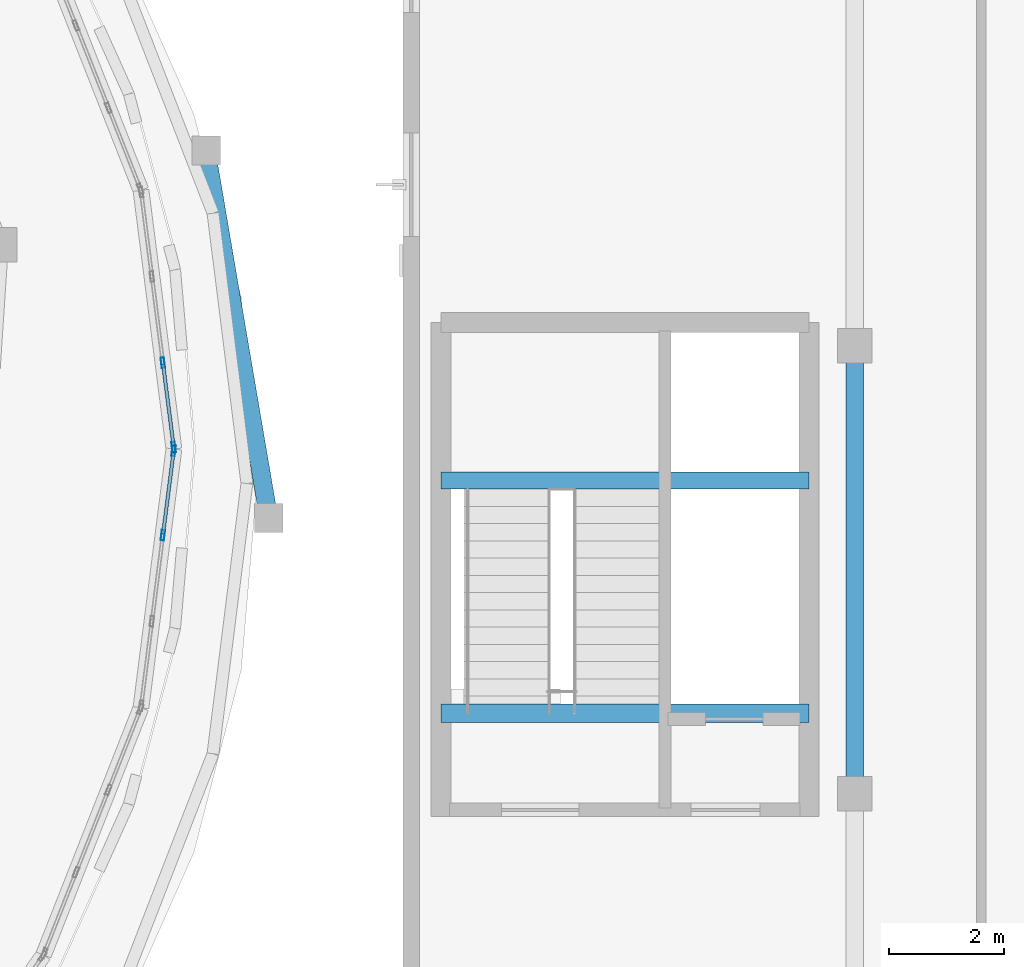
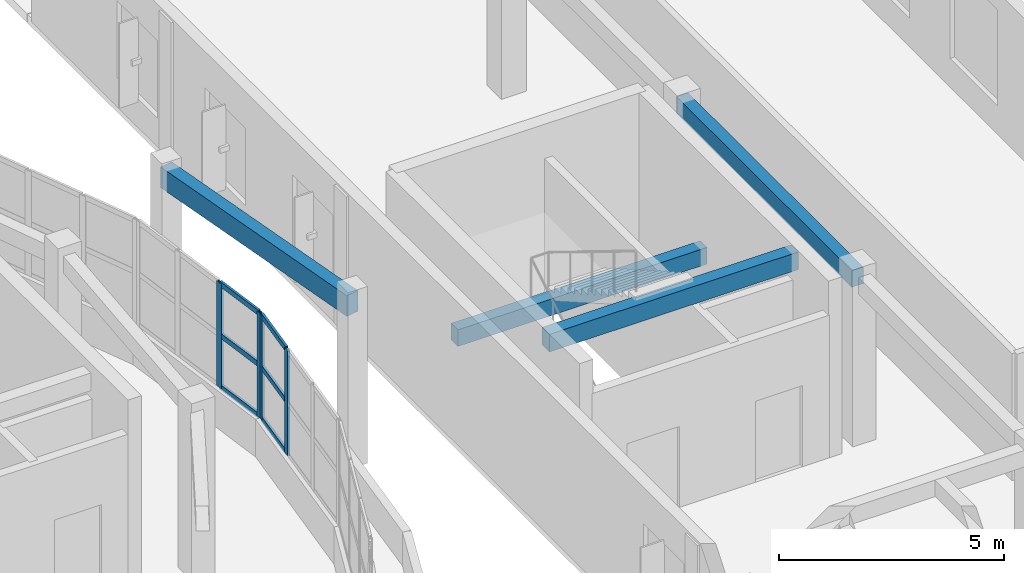
# One storey, part 35 of 69: 10 members, 4 beams, 2 elements without a shape of their own.
"""IFC4 building model written with IfcOpenShell, lengths in metres."""

import ifcopenshell
import ifcopenshell.guid

model = None  # the IFC model being written
_history = None  # IfcOwnerHistory: only IFC2X3 demands one
_inside = {}  # id of a spatial element -> (the spatial element, [elements in it])
_under = {}  # id of a project, library or spatial element -> (it, [spatial elements below it])
_declared = {}  # id of a project -> (the project, [libraries it declares])
_typed = {}  # id of a type object -> (the type object, [elements of that type])
_made_of = {}  # id of a material, layer set ... -> (it, [elements and type objects made of it])


def new_model(schema):
    """Start an empty IFC model of exactly this schema.

    Asked for "IFC4X3", IfcOpenShell would pick the latest addendum, in which some entities
    have other attributes; the version numbers below select the first issue.
    IFC2X3 requires an IfcOwnerHistory on every rooted entity: one is made here for all.
    """
    global model, _history
    if schema == "IFC4X3":
        model = ifcopenshell.file(schema_version=(4, 3, 0, 0))
    else:
        model = ifcopenshell.file(schema=schema)
    _inside.clear()
    _under.clear()
    _declared.clear()
    _typed.clear()
    _made_of.clear()
    _history = None
    if model.schema == "IFC2X3":
        org = make("IfcOrganization", Name="unknown")
        user = make(
            "IfcPersonAndOrganization",
            ThePerson=make("IfcPerson", FamilyName="unknown"),
            TheOrganization=org,
        )
        app = make(
            "IfcApplication",
            ApplicationDeveloper=org,
            Version="unknown",
            ApplicationFullName="unknown",
            ApplicationIdentifier="unknown",
        )
        _history = make(
            "IfcOwnerHistory",
            OwningUser=user,
            OwningApplication=app,
            ChangeAction="ADDED",
            CreationDate=0,
        )
    return model


def make(cls, **values):
    """One entity of the class cls with the attributes given. An attribute that is None is left unset."""
    return model.create_entity(
        cls, **{name: value for name, value in values.items() if value is not None}
    )


def rooted(cls, **values):
    """An entity with a GlobalId (a new one), such as an element, a storey or a relation."""
    return make(cls, GlobalId=ifcopenshell.guid.new(), OwnerHistory=_history, **values)


def si_unit(unit_type, name, prefix=None):
    """IfcSIUnit, for example si_unit("LENGTHUNIT", "METRE", prefix="MILLI")."""
    return make("IfcSIUnit", UnitType=unit_type, Prefix=prefix, Name=name)


def assignment(units):
    """IfcUnitAssignment: the units of a project."""
    return None if units is None else make("IfcUnitAssignment", Units=units)


def point(xyz):
    """IfcCartesianPoint."""
    return None if xyz is None else make("IfcCartesianPoint", Coordinates=xyz)


def direction(xyz):
    """IfcDirection."""
    return None if xyz is None else make("IfcDirection", DirectionRatios=xyz)


def frame(location, z_axis=None, x_axis=None):
    """IfcAxis2Placement3D, a coordinate frame: its origin and axes. An axis left out is left unset."""
    return make(
        "IfcAxis2Placement3D",
        Location=point(location),
        Axis=direction(z_axis),
        RefDirection=direction(x_axis),
    )


def frame_2d(location, x_axis=None):
    """IfcAxis2Placement2D, a coordinate frame in the plane: its origin and x axis."""
    return make(
        "IfcAxis2Placement2D", Location=point(location), RefDirection=direction(x_axis)
    )


def origin():
    """The frame at (0, 0, 0) with its axes left unset."""
    return frame((0.0, 0.0, 0.0))


def origin_2d():
    """The frame at (0, 0) in the plane with its x axis left unset."""
    return frame_2d((0.0, 0.0))


def place(relative_to, where):
    """IfcLocalPlacement: puts the frame where relative to a parent placement (None: the world)."""
    return make(
        "IfcLocalPlacement", PlacementRelTo=relative_to, RelativePlacement=where
    )


def context(
    kind, dimensions, precision=None, world=None, true_north=None, identifier=None
):
    """IfcGeometricRepresentationContext, for example the 3D "Model" context."""
    return make(
        "IfcGeometricRepresentationContext",
        ContextIdentifier=identifier,
        ContextType=kind,
        CoordinateSpaceDimension=dimensions,
        Precision=precision,
        WorldCoordinateSystem=world,
        TrueNorth=true_north,
    )


def subcontext(parent, identifier, kind, view, scale=None):
    """IfcGeometricRepresentationSubContext, for example "Body" below "Model"."""
    return make(
        "IfcGeometricRepresentationSubContext",
        ContextIdentifier=identifier,
        ContextType=kind,
        ParentContext=parent,
        TargetScale=scale,
        TargetView=view,
    )


def project(units=None, contexts=None):
    """IfcProject with its units and contexts."""
    return rooted(
        "IfcProject",
        Name="project",
        RepresentationContexts=contexts,
        UnitsInContext=assignment(units),
    )


def spatial(cls, under=None, at=None, **own):
    """A site, building, storey or space (cls), placed at a placement, below another one or the project."""
    s = rooted(cls, ObjectPlacement=at, **own)
    if under is not None:
        _under.setdefault(under.id(), (under, []))[1].append(s)
    return s


def profile(cls, at=None, kind="AREA", **sizes):
    """A parametric profile (cls). Its sizes go by their IFC names, for example OverallWidth=200.0."""
    return make(cls, ProfileType=kind, Position=at, **sizes)


def rectangle(**sizes):
    """IfcRectangleProfileDef."""
    return profile("IfcRectangleProfileDef", **sizes)


def hollow_rectangle(**sizes):
    """IfcRectangleHollowProfileDef."""
    return profile("IfcRectangleHollowProfileDef", **sizes)


def extrude(swept, where, along, depth):
    """IfcExtrudedAreaSolid: the profile swept, set in the frame where, extruded along a direction by depth."""
    return make(
        "IfcExtrudedAreaSolid",
        SweptArea=swept,
        Position=where,
        ExtrudedDirection=direction(along),
        Depth=depth,
    )


def shape(context_of_items, identifier, shape_type, items):
    """IfcShapeRepresentation: the items that make up one representation, for example the "Body"."""
    return make(
        "IfcShapeRepresentation",
        ContextOfItems=context_of_items,
        RepresentationIdentifier=identifier,
        RepresentationType=shape_type,
        Items=items,
    )


def material(Name=None, Category=None):
    """IfcMaterial."""
    return make("IfcMaterial", Name=Name, Category=Category)


def layer(
    of_material, thickness, ventilated=None, Name=None, Category=None, Priority=None
):
    """IfcMaterialLayer: one layer of a wall or slab, of a material (None: an air gap)."""
    return make(
        "IfcMaterialLayer",
        Material=of_material,
        LayerThickness=thickness,
        IsVentilated=ventilated,
        Name=Name,
        Category=Category,
        Priority=Priority,
    )


def layer_set(layers, Name=None):
    """IfcMaterialLayerSet."""
    return make("IfcMaterialLayerSet", MaterialLayers=layers, LayerSetName=Name)


def material_profile(
    of_material, cross_section, Name=None, Category=None, Priority=None
):
    """IfcMaterialProfile: a cross section and its material."""
    return make(
        "IfcMaterialProfile",
        Name=Name,
        Material=of_material,
        Profile=cross_section,
        Priority=Priority,
        Category=Category,
    )


def profile_set(profiles, Name=None, composite=None):
    """IfcMaterialProfileSet."""
    return make(
        "IfcMaterialProfileSet",
        Name=Name,
        MaterialProfiles=profiles,
        CompositeProfile=composite,
    )


def made_of(thing, what):
    """Note that an element or type object is made of a material, layer set ...; save() writes the relation."""
    if what is not None:
        _made_of.setdefault(what.id(), (what, []))[1].append(thing)
    return thing


def type_object(cls, material=None, **own):
    """A type object (cls), such as IfcWallType, which elements share."""
    return made_of(rooted(cls, **own), material)


def element(
    cls,
    number,
    at=None,
    inside=None,
    cuts=None,
    type_object=None,
    material=None,
    context=None,
    identifier="Body",
    shape_type=None,
    held_by="IfcProductDefinitionShape",
    body=None,
    shapes=None,
    **own,
):
    """One element of the class cls, such as IfcWall. Its Tag is "e" and its number.

    at: its placement. inside: the storey or other place that contains it. cuts: it is an
    opening in that element (IfcRelVoidsElement). A single representation is given by context,
    identifier, shape_type and body (its items); several are given by shapes. held_by: the class
    of the entity that holds the representations. save() writes the other relations.
    """
    e = rooted(cls, Tag="e%d" % number, ObjectPlacement=at, **own)
    if body is not None:
        shapes = [shape(context, identifier, shape_type, body)]
    if shapes is not None:
        e.Representation = make(held_by, Representations=shapes)
    if inside is not None:
        _inside.setdefault(inside.id(), (inside, []))[1].append(e)
    if cuts is not None:
        rooted(
            "IfcRelVoidsElement", RelatingBuildingElement=cuts, RelatedOpeningElement=e
        )
    if type_object is not None:
        _typed.setdefault(type_object.id(), (type_object, []))[1].append(e)
    return made_of(e, material)


def aggregate(whole, parts):
    """IfcRelAggregates: a whole, such as a stair, and the parts it consists of."""
    return rooted("IfcRelAggregates", RelatingObject=whole, RelatedObjects=parts)


def save(model, path):
    """Write the relations noted so far, then the file.

    IfcRelAggregates (storeys below a building ...), IfcRelContainedInSpatialStructure (elements
    in a storey), IfcRelDefinesByType, IfcRelAssociatesMaterial and IfcRelDeclares: one each for
    every whole, place, type object, material and project.
    """
    for whole, parts in _under.values():
        aggregate(whole, parts)
    for where, things in _inside.values():
        rooted(
            "IfcRelContainedInSpatialStructure",
            RelatedElements=things,
            RelatingStructure=where,
        )
    for kind, things in _typed.values():
        rooted("IfcRelDefinesByType", RelatedObjects=things, RelatingType=kind)
    for what, things in _made_of.values():
        rooted("IfcRelAssociatesMaterial", RelatedObjects=things, RelatingMaterial=what)
    for by, libraries in _declared.values():
        rooted("IfcRelDeclares", RelatingContext=by, RelatedDefinitions=libraries)
    model.write(path)


model = new_model("IFC4")

# Units and contexts
model_context = context("Model", 3, precision=1e-05, world=origin(), true_north=direction((0.0, 1.0)))
body_context = subcontext(model_context, "Body", "Model", "MODEL_VIEW")
ifc_project = project(units=[si_unit("LENGTHUNIT", "METRE"), si_unit("AREAUNIT", "SQUARE_METRE"), si_unit("VOLUMEUNIT", "CUBIC_METRE"), si_unit("PLANEANGLEUNIT", "RADIAN"), si_unit("MASSUNIT", "GRAM", prefix="KILO")], contexts=[model_context])

# Site, building, storey
site_placement = place(None, origin())
site = spatial("IfcSite", under=ifc_project, at=site_placement, CompositionType="ELEMENT")
building_placement = place(site_placement, origin())
building = spatial("IfcBuilding", under=site, at=building_placement, Name="Pelvatis Terrace Science Centre", CompositionType="ELEMENT")
storey_placement = place(building_placement, frame((0.0, 0.0, 15.0)))
storey = spatial("IfcBuildingStorey", under=building, at=storey_placement, Name="L03", CompositionType="ELEMENT", Elevation=15.0)

# Beams
ifc_material_1 = material(Name="Concrete C35/45", Category="concrete")
ifc_material_profile_1 = material_profile(ifc_material_1, rectangle(XDim=0.300048828125, YDim=0.449951171875, at=origin_2d()), Name="RC-BM 300x450")
ifc_profile_set_1 = profile_set([ifc_material_profile_1], Name="Concrete C35/45")
beam_type_1 = type_object("IfcBeamType", Name="BM-RC-300x450", PredefinedType="BEAM", material=ifc_profile_set_1)
beam_1_placement = place(storey_placement, frame((148.199951171875, 78.0, 4.324951171875), z_axis=(0.0, 1.0, 0.0), x_axis=(-1.0, 0.0, 0.0)))
element("IfcBeam", 1, at=beam_1_placement, inside=storey, type_object=beam_type_1, Name="Beam BM-L03-3068", PredefinedType="BEAM", context=body_context, shape_type="SweptSolid", body=[
    extrude(rectangle(XDim=0.300048828125, YDim=0.449951171875, at=origin_2d()), origin(), (0.0, 0.0, 1.0), 7.800048828125),
])
beam_2_placement = place(storey_placement, frame((141.0, 83.449951171875, 1.97509765625), z_axis=(1.0, 0.0, 0.0), x_axis=(0.0, 1.0, 0.0)))
element("IfcBeam", 2, at=beam_2_placement, inside=storey, type_object=beam_type_1, Name="Core C3 half-landing beam (L03)", PredefinedType="BEAM", context=body_context, shape_type="SweptSolid", body=[
    extrude(rectangle(XDim=0.300048828125, YDim=0.449951171875, at=origin_2d()), origin(), (0.0, 0.0, 1.0), 6.39990234375),
])
ifc_material_2 = material(Name="Concrete C35/45", Category="concrete")
ifc_material_profile_2 = material_profile(ifc_material_2, rectangle(XDim=0.320068359375, YDim=0.47998046875, at=origin_2d()), Name="RC-BM 320x480")
ifc_profile_set_2 = profile_set([ifc_material_profile_2], Name="Concrete C35/45")
beam_type_2 = type_object("IfcBeamType", Name="BM-RC-320x480", PredefinedType="BEAM", material=ifc_profile_set_2)
beam_3_placement = place(storey_placement, frame((141.0, 79.39990234375, 4.300048828125), z_axis=(1.0, 0.0, 0.0), x_axis=(0.0, 1.0, 0.0)))
element("IfcBeam", 3, at=beam_3_placement, inside=storey, type_object=beam_type_2, Name="Core C3 stair header beam (L03)", PredefinedType="BEAM", context=body_context, shape_type="SweptSolid", body=[
    extrude(rectangle(XDim=0.320068359375, YDim=0.47998046875, at=origin_2d()), origin(), (0.0, 0.0, 1.0), 6.39990234375),
])

# Curtain wall, members
ifc_material_3 = material(Name="Bronze-anodised aluminium and laminated glass", Category="aluminium")
ifc_layer = layer(ifc_material_3, 0.179931640625)
ifc_layer_set = layer_set([ifc_layer], Name="Bronze-anodised aluminium and laminated glass")
curtain_wall_type = type_object("IfcCurtainWallType", Name="CW-RIBBON-A", PredefinedType="NOTDEFINED", material=ifc_layer_set)
curtain_wall_1_placement = place(storey_placement, origin())
curtain_wall_1 = element("IfcCurtainWall", 4, at=curtain_wall_1_placement, inside=storey, type_object=curtain_wall_type, Name="Ribbon curtain wall CW-183 (L03)", PredefinedType="NOTDEFINED")
ifc_material_4 = material(Name="Bronze-anodised aluminium 6063-T6", Category="aluminium")
ifc_material_profile_3 = material_profile(ifc_material_4, hollow_rectangle(XDim=0.06005859375, YDim=0.179931640625, WallThickness=0.00390625, at=origin_2d()), Name="ALU-MUL 60x180")
ifc_profile_set_3 = profile_set([ifc_material_profile_3], Name="Bronze-anodised aluminium 6063-T6")
member_type_1 = type_object("IfcMemberType", Name="CWM-60x180", PredefinedType="MULLION", material=ifc_profile_set_3)
member_1_placement = place(storey_placement, frame((136.34619140625, 84.02978515625, 1.02001953125), z_axis=(0.0, 0.0, 1.0), x_axis=(-0.991978378597, -0.126407659563, 0.0)))
member_1 = element("IfcMember", 5, at=member_1_placement, type_object=member_type_1, Name="CW-183 mullion 1", PredefinedType="MULLION", context=body_context, shape_type="SweptSolid", body=[
    extrude(hollow_rectangle(XDim=0.06005859375, YDim=0.179931640625, WallThickness=0.00390625, at=origin_2d()), origin(), (0.0, 0.0, 1.0), 2.85009765625),
])
member_2_placement = place(storey_placement, frame((136.15869140625, 85.50048828125, 1.02001953125), z_axis=(0.0, 0.0, 1.0), x_axis=(-0.991978378597, -0.126407659563, 0.0)))
member_2 = element("IfcMember", 6, at=member_2_placement, type_object=member_type_1, Name="CW-183 mullion 2", PredefinedType="MULLION", context=body_context, shape_type="SweptSolid", body=[
    extrude(hollow_rectangle(XDim=0.06005859375, YDim=0.179931640625, WallThickness=0.00390625, at=origin_2d()), origin(), (0.0, 0.0, 1.0), 2.85009765625),
])

curtain_wall_2_placement = place(storey_placement, origin())
curtain_wall_2 = element("IfcCurtainWall", 7, at=curtain_wall_2_placement, inside=storey, type_object=curtain_wall_type, Name="Ribbon curtain wall CW-212 (L03)", PredefinedType="NOTDEFINED")
member_3_placement = place(storey_placement, frame((136.15869140625, 82.49951171875, 1.02001953125), z_axis=(0.0, 0.0, 1.0), x_axis=(-0.991978378597, 0.126407659563, 0.0)))
member_3 = element("IfcMember", 8, at=member_3_placement, type_object=member_type_1, Name="CW-212 mullion 3", PredefinedType="MULLION", context=body_context, shape_type="SweptSolid", body=[
    extrude(hollow_rectangle(XDim=0.06005859375, YDim=0.179931640625, WallThickness=0.00390625, at=origin_2d()), origin(), (0.0, 0.0, 1.0), 2.85009765625),
])
member_4_placement = place(storey_placement, frame((136.34619140625, 83.97021484375, 1.02001953125), z_axis=(0.0, 0.0, 1.0), x_axis=(-0.991978378597, 0.126407659563, 0.0)))
member_4 = element("IfcMember", 9, at=member_4_placement, type_object=member_type_1, Name="CW-212 mullion 4", PredefinedType="MULLION", context=body_context, shape_type="SweptSolid", body=[
    extrude(hollow_rectangle(XDim=0.06005859375, YDim=0.179931640625, WallThickness=0.00390625, at=origin_2d()), origin(), (0.0, 0.0, 1.0), 2.85009765625),
])

# Member
ifc_material_5 = material(Name="Bronze-anodised aluminium 6063-T6", Category="aluminium")
ifc_material_profile_4 = material_profile(ifc_material_5, hollow_rectangle(XDim=0.06005859375, YDim=0.139892578125, WallThickness=0.00390625, at=origin_2d()), Name="ALU-TRN 60x140")
ifc_profile_set_4 = profile_set([ifc_material_profile_4], Name="Bronze-anodised aluminium 6063-T6")
member_type_2 = type_object("IfcMemberType", Name="CWT-60x140", PredefinedType="USERDEFINED", material=ifc_profile_set_4)
member_5_placement = place(storey_placement, frame((136.342529296875, 84.0595703125, 1.050048828125), z_axis=(-0.126484574271, 0.991968574337, 0.0), x_axis=(-0.991968574337, -0.126484574271, 0.0)))
member_5 = element("IfcMember", 10, at=member_5_placement, type_object=member_type_2, Name="CW-183 transom 1.1", ObjectType="TRANSOM", PredefinedType="USERDEFINED", context=body_context, shape_type="SweptSolid", body=[
    extrude(hollow_rectangle(XDim=0.06005859375, YDim=0.139892578125, WallThickness=0.00390625, at=origin_2d()), origin(), (0.0, 0.0, 1.0), 1.422607421875),
])

member_6_placement = place(storey_placement, frame((136.342529296875, 84.0595703125, 2.445068359375), z_axis=(-0.126484574271, 0.991968574337, 0.0), x_axis=(-0.991968574337, -0.126484574271, 0.0)))
member_6 = element("IfcMember", 11, at=member_6_placement, type_object=member_type_2, Name="CW-183 transom 1.2", ObjectType="TRANSOM", PredefinedType="USERDEFINED", context=body_context, shape_type="SweptSolid", body=[
    extrude(hollow_rectangle(XDim=0.06005859375, YDim=0.139892578125, WallThickness=0.00390625, at=origin_2d()), origin(), (0.0, 0.0, 1.0), 1.422607421875),
])

member_7_placement = place(storey_placement, frame((136.342529296875, 84.0595703125, 3.840087890625), z_axis=(-0.126484574271, 0.991968574337, 0.0), x_axis=(-0.991968574337, -0.126484574271, 0.0)))
member_7 = element("IfcMember", 12, at=member_7_placement, type_object=member_type_2, Name="CW-183 transom 1.3", ObjectType="TRANSOM", PredefinedType="USERDEFINED", context=body_context, shape_type="SweptSolid", body=[
    extrude(hollow_rectangle(XDim=0.06005859375, YDim=0.139892578125, WallThickness=0.00390625, at=origin_2d()), origin(), (0.0, 0.0, 1.0), 1.422607421875),
])

aggregate(curtain_wall_1, [member_1, member_2, member_5, member_6, member_7])

member_8_placement = place(storey_placement, frame((136.16259765625, 82.529296875, 1.050048828125), z_axis=(0.126484574271, 0.991968574337, 0.0), x_axis=(-0.991968574337, 0.126484574271, 0.0)))
member_8 = element("IfcMember", 13, at=member_8_placement, type_object=member_type_2, Name="CW-212 transom 3.1", ObjectType="TRANSOM", PredefinedType="USERDEFINED", context=body_context, shape_type="SweptSolid", body=[
    extrude(hollow_rectangle(XDim=0.06005859375, YDim=0.139892578125, WallThickness=0.00390625, at=origin_2d()), origin(), (0.0, 0.0, 1.0), 1.422607421875),
])

member_9_placement = place(storey_placement, frame((136.16259765625, 82.529296875, 2.445068359375), z_axis=(0.126484574271, 0.991968574337, 0.0), x_axis=(-0.991968574337, 0.126484574271, 0.0)))
member_9 = element("IfcMember", 14, at=member_9_placement, type_object=member_type_2, Name="CW-212 transom 3.2", ObjectType="TRANSOM", PredefinedType="USERDEFINED", context=body_context, shape_type="SweptSolid", body=[
    extrude(hollow_rectangle(XDim=0.06005859375, YDim=0.139892578125, WallThickness=0.00390625, at=origin_2d()), origin(), (0.0, 0.0, 1.0), 1.422607421875),
])

member_10_placement = place(storey_placement, frame((136.16259765625, 82.529296875, 3.840087890625), z_axis=(0.126484574271, 0.991968574337, 0.0), x_axis=(-0.991968574337, 0.126484574271, 0.0)))
member_10 = element("IfcMember", 15, at=member_10_placement, type_object=member_type_2, Name="CW-212 transom 3.3", ObjectType="TRANSOM", PredefinedType="USERDEFINED", context=body_context, shape_type="SweptSolid", body=[
    extrude(hollow_rectangle(XDim=0.06005859375, YDim=0.139892578125, WallThickness=0.00390625, at=origin_2d()), origin(), (0.0, 0.0, 1.0), 1.422607421875),
])

aggregate(curtain_wall_2, [member_3, member_4, member_8, member_9, member_10])

# Beam
ifc_material_6 = material(Name="Concrete C35/45", Category="concrete")
ifc_material_profile_5 = material_profile(ifc_material_6, rectangle(XDim=0.320068359375, YDim=0.56005859375, at=origin_2d()), Name="RC-SPN 320x560")
ifc_profile_set_5 = profile_set([ifc_material_profile_5], Name="Concrete C35/45")
beam_type_3 = type_object("IfcBeamType", Name="SPN-RC-320x560", PredefinedType="SPANDREL", material=ifc_profile_set_5)
beam_4_placement = place(storey_placement, frame((138.0, 82.800048828125, 4.27001953125), z_axis=(-0.167955755204, 0.985794534522, 0.0), x_axis=(-0.985794534522, -0.167955755204, 0.0)))
element("IfcBeam", 16, at=beam_4_placement, inside=storey, type_object=beam_type_3, Name="Spandrel SP-L03-3042", PredefinedType="SPANDREL", context=body_context, shape_type="SweptSolid", body=[
    extrude(rectangle(XDim=0.320068359375, YDim=0.56005859375, at=origin_2d()), origin(), (0.0, 0.0, 1.0), 6.4873046875),
])

save(model, "model.ifc")
